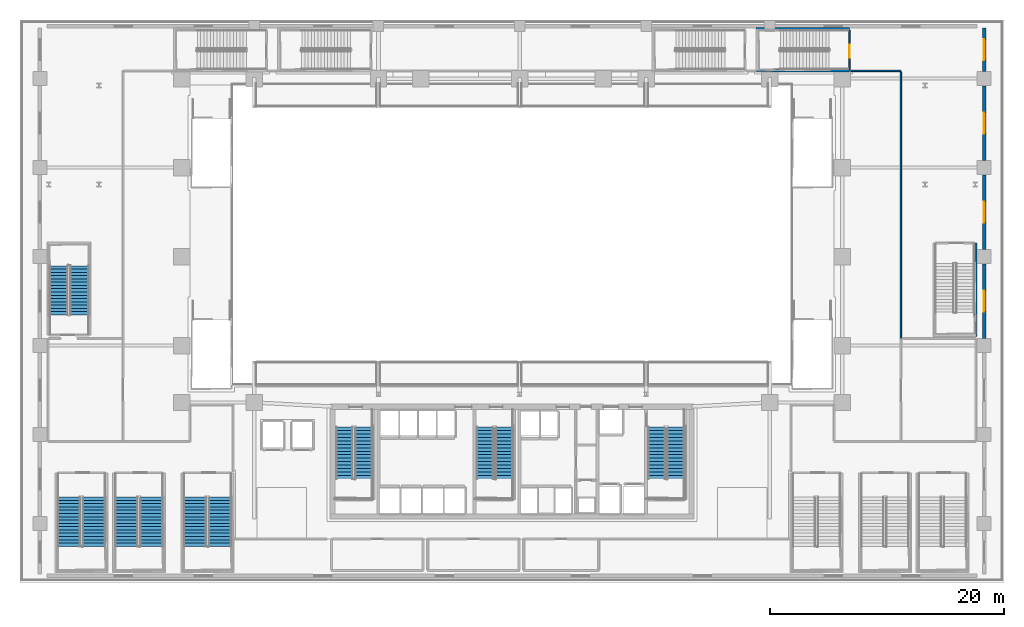
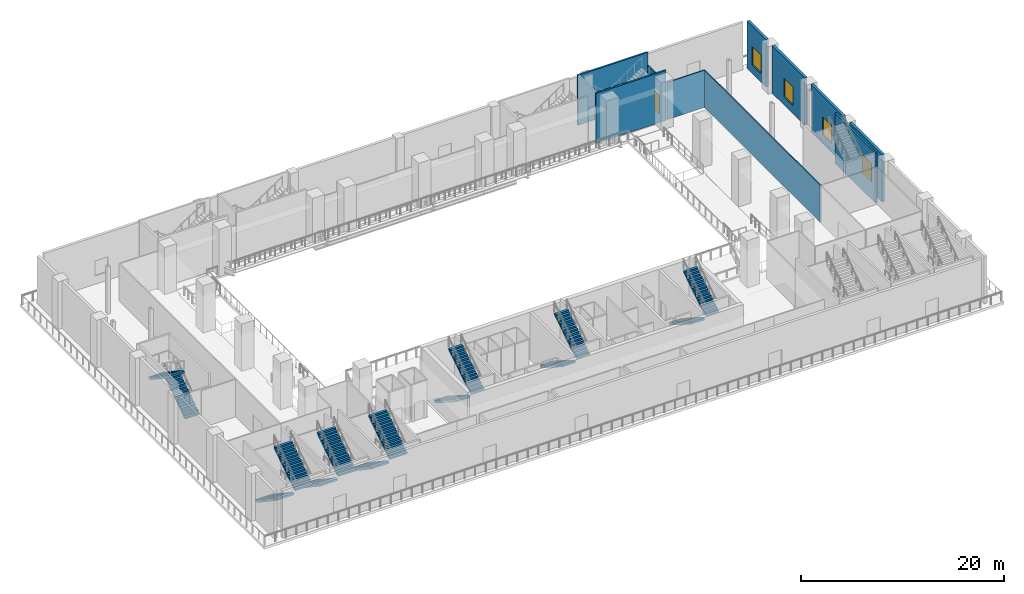
# One storey, part 12 of 28: 14 stair flights, 10 walls, 4 windows, 1 door, 5 openings, 7 elements without a shape of their own.
"""IFC4 building model written with IfcOpenShell, lengths in metres."""

from ifc_helpers import new_model, si_unit, direction, frame, frame_2d, origin, place, context, subcontext, project, spatial, polyline, rectangle, outline, extrude, material, layer, layer_set, type_object, element, fill, aggregate, save


model = new_model("IFC4")

# Units and contexts
model_context = context("Model", 3, precision=1e-05, world=origin(), true_north=direction((0.0, 1.0)))
body_context = subcontext(model_context, "Body", "Model", "MODEL_VIEW")
ifc_project = project(units=[si_unit("LENGTHUNIT", "METRE"), si_unit("AREAUNIT", "SQUARE_METRE"), si_unit("VOLUMEUNIT", "CUBIC_METRE"), si_unit("PLANEANGLEUNIT", "RADIAN"), si_unit("MASSUNIT", "GRAM", prefix="KILO")], contexts=[model_context])

# Site, building, storey
site_placement = place(None, origin())
site = spatial("IfcSite", under=ifc_project, at=site_placement, CompositionType="ELEMENT")
building_placement = place(site_placement, origin())
building = spatial("IfcBuilding", under=site, at=building_placement, Name="Ndaravel Arena Tower", CompositionType="ELEMENT")
storey_placement = place(building_placement, frame((0.0, 0.0, 18.0)))
storey = spatial("IfcBuildingStorey", under=building, at=storey_placement, Name="L03", CompositionType="ELEMENT", Elevation=18.0)

# Walls
ifc_material_1 = material(Name="Gypsum", Category="gypsum")
ifc_layer_1 = layer(ifc_material_1, 0.125)
ifc_layer_set_1 = layer_set([ifc_layer_1], Name="Gypsum")
wall_type_1 = type_object("IfcWallType", Name="WALL-PART-125", PredefinedType="PARTITIONING", material=ifc_layer_set_1)
wall_1_placement = place(storey_placement, frame((70.919921875, 43.64990234375, 0.0), z_axis=(0.0, 0.0, 1.0), x_axis=(1.0, 0.0, 0.0)))
element("IfcWall", 1, at=wall_1_placement, inside=storey, type_object=wall_type_1, Name="L03 Interior Partition 018", PredefinedType="PARTITIONING", context=body_context, shape_type="SweptSolid", body=[
    extrude(rectangle(XDim=4.280029296875, YDim=0.125, at=frame_2d((2.14013671875, 0.0))), origin(), (0.0, 0.0, 1.0), 4.469970703125),
])
wall_2_placement = place(storey_placement, frame((75.199951171875, 43.5849609375, 0.0), z_axis=(0.0, 0.0, 1.0), x_axis=(0.0, -1.0, 0.0)))
element("IfcWall", 2, at=wall_2_placement, inside=storey, type_object=wall_type_1, Name="L03 Interior Partition 019", PredefinedType="PARTITIONING", context=body_context, shape_type="SweptSolid", body=[
    extrude(rectangle(XDim=22.784912109375, YDim=0.125, at=frame_2d((11.392578125, 0.0))), origin(), (0.0, 0.0, 1.0), 4.469970703125),
])

# Wall, opening, window
ifc_material_2 = material(Name="Masonry", Category="masonry")
ifc_layer_2 = layer(ifc_material_2, 0.300048828125)
ifc_layer_set_2 = layer_set([ifc_layer_2], Name="Masonry")
wall_type_2 = type_object("IfcWallType", Name="WALL-POD-MAZERAS-300", PredefinedType="SOLIDWALL", material=ifc_layer_set_2)
wall_3_placement = place(storey_placement, frame((82.300048828125, 27.179931640625, 0.0), z_axis=(0.0, 0.0, 1.0), x_axis=(0.0, -1.0, 0.0)))
wall_3 = element("IfcWall", 3, at=wall_3_placement, inside=storey, type_object=wall_type_2, Name="L03 East Mazeras Bay 4", PredefinedType="SOLIDWALL", context=body_context, shape_type="SweptSolid", body=[
    extrude(rectangle(XDim=6.35986328125, YDim=0.300048828125, at=frame_2d((3.179931640625, 0.0))), origin(), (0.0, 0.0, 1.0), 5.699951171875),
])
opening_1_placement = place(wall_3_placement, frame((2.280029296875, 0.0, 1.0)))
opening_1 = element("IfcOpeningElement", 4, at=opening_1_placement, cuts=wall_3, Name="Opening W-PD2", PredefinedType="OPENING", context=body_context, shape_type="SweptSolid", body=[
    extrude(rectangle(XDim=1.800048828125, YDim=2.199951171875, at=frame_2d((0.89990234375, 1.10009765625))), frame((0.0, 0.14990234375, 0.0), z_axis=(0.0, -1.0, 0.0), x_axis=(1.0, 0.0, 0.0)), (0.0, 0.0, 1.0), 0.300048828125),
])
ifc_material_3 = material(Name="Glazing", Category="glass")
window_type = type_object("IfcWindowType", Name="WIN-POD-1800", PartitioningType="SINGLE_PANEL", PredefinedType="WINDOW", material=ifc_material_3)
window_1_placement = place(opening_1_placement, origin())
window_1 = element("IfcWindow", 5, at=window_1_placement, inside=storey, type_object=window_type, Name="L03 East Mazeras Window 4", OverallHeight=2.199951171875, OverallWidth=1.800048828125, PartitioningType="SINGLE_PANEL", PredefinedType="WINDOW", context=body_context, shape_type="SweptSolid", body=[
    extrude(rectangle(XDim=1.800048828125, YDim=2.199951171875, at=frame_2d((0.89990234375, 1.10009765625))), frame((0.0, 0.030029296875, 0.0), z_axis=(0.0, -1.0, 0.0), x_axis=(1.0, 0.0, 0.0)), (0.0, 0.0, 1.0), 0.06005859375),
])
fill(opening_1, window_1)

wall_4_placement = place(storey_placement, frame((82.300048828125, 34.780029296875, 0.0), z_axis=(0.0, 0.0, 1.0), x_axis=(0.0, -1.0, 0.0)))
wall_4 = element("IfcWall", 6, at=wall_4_placement, inside=storey, type_object=wall_type_2, Name="L03 East Mazeras Bay 5", PredefinedType="SOLIDWALL", context=body_context, shape_type="SweptSolid", body=[
    extrude(rectangle(XDim=6.360107421875, YDim=0.300048828125, at=frame_2d((3.18017578125, 0.0))), origin(), (0.0, 0.0, 1.0), 5.699951171875),
])
opening_2_placement = place(wall_4_placement, frame((2.280029296875, 0.0, 1.0)))
opening_2 = element("IfcOpeningElement", 7, at=opening_2_placement, cuts=wall_4, Name="Opening W-PD2", PredefinedType="OPENING", context=body_context, shape_type="SweptSolid", body=[
    extrude(rectangle(XDim=1.800048828125, YDim=2.199951171875, at=frame_2d((0.89990234375, 1.10009765625))), frame((0.0, 0.14990234375, 0.0), z_axis=(0.0, -1.0, 0.0), x_axis=(1.0, 0.0, 0.0)), (0.0, 0.0, 1.0), 0.300048828125),
])
window_2_placement = place(opening_2_placement, origin())
window_2 = element("IfcWindow", 8, at=window_2_placement, inside=storey, type_object=window_type, Name="L03 East Mazeras Window 5", OverallHeight=2.199951171875, OverallWidth=1.800048828125, PartitioningType="SINGLE_PANEL", PredefinedType="WINDOW", context=body_context, shape_type="SweptSolid", body=[
    extrude(rectangle(XDim=1.800048828125, YDim=2.199951171875, at=frame_2d((0.89990234375, 1.10009765625))), frame((0.0, 0.030029296875, 0.0), z_axis=(0.0, -1.0, 0.0), x_axis=(1.0, 0.0, 0.0)), (0.0, 0.0, 1.0), 0.06005859375),
])
fill(opening_2, window_2)

wall_5_placement = place(storey_placement, frame((82.300048828125, 42.3798828125, 0.0), z_axis=(0.0, 0.0, 1.0), x_axis=(0.0, -1.0, 0.0)))
wall_5 = element("IfcWall", 9, at=wall_5_placement, inside=storey, type_object=wall_type_2, Name="L03 East Mazeras Bay 6", PredefinedType="SOLIDWALL", context=body_context, shape_type="SweptSolid", body=[
    extrude(rectangle(XDim=6.35986328125, YDim=0.300048828125, at=frame_2d((3.179931640625, 0.0))), origin(), (0.0, 0.0, 1.0), 5.699951171875),
])
opening_3_placement = place(wall_5_placement, frame((2.280029296875, 0.0, 1.0)))
opening_3 = element("IfcOpeningElement", 10, at=opening_3_placement, cuts=wall_5, Name="Opening W-PD2", PredefinedType="OPENING", context=body_context, shape_type="SweptSolid", body=[
    extrude(rectangle(XDim=1.800048828125, YDim=2.199951171875, at=frame_2d((0.89990234375, 1.10009765625))), frame((0.0, 0.14990234375, 0.0), z_axis=(0.0, -1.0, 0.0), x_axis=(1.0, 0.0, 0.0)), (0.0, 0.0, 1.0), 0.300048828125),
])
window_3_placement = place(opening_3_placement, origin())
window_3 = element("IfcWindow", 11, at=window_3_placement, inside=storey, type_object=window_type, Name="L03 East Mazeras Window 6", OverallHeight=2.199951171875, OverallWidth=1.800048828125, PartitioningType="SINGLE_PANEL", PredefinedType="WINDOW", context=body_context, shape_type="SweptSolid", body=[
    extrude(rectangle(XDim=1.800048828125, YDim=2.199951171875, at=frame_2d((0.89990234375, 1.10009765625))), frame((0.0, 0.030029296875, 0.0), z_axis=(0.0, -1.0, 0.0), x_axis=(1.0, 0.0, 0.0)), (0.0, 0.0, 1.0), 0.06005859375),
])
fill(opening_3, window_3)

wall_6_placement = place(storey_placement, frame((82.300048828125, 47.300048828125, 0.0), z_axis=(0.0, 0.0, 1.0), x_axis=(0.0, -1.0, 0.0)))
wall_6 = element("IfcWall", 12, at=wall_6_placement, inside=storey, type_object=wall_type_2, Name="L03 East Mazeras Bay 7", PredefinedType="SOLIDWALL", context=body_context, shape_type="SweptSolid", body=[
    extrude(rectangle(XDim=3.699951171875, YDim=0.300048828125, at=frame_2d((1.85009765625, 0.0))), origin(), (0.0, 0.0, 1.0), 5.699951171875),
])
opening_4_placement = place(wall_6_placement, frame((0.949951171875, 0.0, 1.0)))
opening_4 = element("IfcOpeningElement", 13, at=opening_4_placement, cuts=wall_6, Name="Opening W-PD2", PredefinedType="OPENING", context=body_context, shape_type="SweptSolid", body=[
    extrude(rectangle(XDim=1.800048828125, YDim=2.199951171875, at=frame_2d((0.89990234375, 1.10009765625))), frame((0.0, 0.14990234375, 0.0), z_axis=(0.0, -1.0, 0.0), x_axis=(1.0, 0.0, 0.0)), (0.0, 0.0, 1.0), 0.300048828125),
])
window_4_placement = place(opening_4_placement, origin())
window_4 = element("IfcWindow", 14, at=window_4_placement, inside=storey, type_object=window_type, Name="L03 East Mazeras Window 7", OverallHeight=2.199951171875, OverallWidth=1.800048828125, PartitioningType="SINGLE_PANEL", PredefinedType="WINDOW", context=body_context, shape_type="SweptSolid", body=[
    extrude(rectangle(XDim=1.800048828125, YDim=2.199951171875, at=frame_2d((0.89990234375, 1.10009765625))), frame((0.0, 0.030029296875, 0.0), z_axis=(0.0, -1.0, 0.0), x_axis=(1.0, 0.0, 0.0)), (0.0, 0.0, 1.0), 0.06005859375),
])
fill(opening_4, window_4)

# Wall, opening, door
ifc_material_4 = material(Name="Concrete C40/50", Category="concrete")
ifc_layer_3 = layer(ifc_material_4, 0.1201171875)
ifc_layer_set_3 = layer_set([ifc_layer_3], Name="Concrete C40/50")
wall_type_3 = type_object("IfcWallType", Name="WALL-SHAFT-120", PredefinedType="SOLIDWALL", material=ifc_layer_set_3)
wall_7_placement = place(storey_placement, frame((70.800048828125, 47.135009765625, 0.0), z_axis=(0.0, 0.0, 1.0), x_axis=(0.0, -1.0, 0.0)))
wall_7 = element("IfcWall", 15, at=wall_7_placement, inside=storey, type_object=wall_type_3, Name="L03 ST-A11 Entry Wall", PredefinedType="SOLIDWALL", context=body_context, shape_type="SweptSolid", body=[
    extrude(rectangle(XDim=3.3701171875, YDim=0.1201171875, at=frame_2d((1.68505859375, 0.0))), origin(), (0.0, 0.0, 1.0), 4.469970703125),
])
opening_5_placement = place(wall_7_placement, frame((1.239990234375, 0.0, 0.0)))
opening_5 = element("IfcOpeningElement", 16, at=opening_5_placement, cuts=wall_7, Name="Opening FD-01", PredefinedType="OPENING", context=body_context, shape_type="SweptSolid", body=[
    extrude(rectangle(XDim=1.10009765625, YDim=2.199951171875, at=frame_2d((0.550048828125, 1.10009765625))), frame((0.0, 0.06005859375, 0.0), z_axis=(0.0, -1.0, 0.0), x_axis=(1.0, 0.0, 0.0)), (0.0, 0.0, 1.0), 0.1201171875),
])
ifc_material_5 = material(Name="Steel S355", Category="steel")
door_type = type_object("IfcDoorType", Name="DT-01-STAIR-1100", OperationType="SINGLE_SWING_LEFT", PredefinedType="DOOR", material=ifc_material_5)
door_placement = place(opening_5_placement, origin())
door = element("IfcDoor", 17, at=door_placement, inside=storey, type_object=door_type, Name="L03 ST-A11 Fire Exit Stair Door", OperationType="SINGLE_SWING_RIGHT", OverallHeight=2.199951171875, OverallWidth=1.10009765625, PredefinedType="DOOR", context=body_context, shape_type="SweptSolid", body=[
    extrude(rectangle(XDim=1.10009765625, YDim=2.199951171875, at=frame_2d((0.550048828125, 1.10009765625))), frame((0.0, 0.02490234375, 0.0), z_axis=(0.0, -1.0, 0.0), x_axis=(1.0, 0.0, 0.0)), (0.0, 0.0, 1.0), 0.050048828125),
])
fill(opening_5, door)

# Walls
ifc_material_6 = material(Name="Concrete C40/50", Category="concrete")
ifc_layer_4 = layer(ifc_material_6, 0.199951171875)
ifc_layer_set_4 = layer_set([ifc_layer_4], Name="Concrete C40/50")
wall_type_4 = type_object("IfcWallType", Name="WALL-SHAFT-200", PredefinedType="SOLIDWALL", material=ifc_layer_set_4)
for number, where, z_axis, x_axis, name in (
    (18, (70.800048828125, 47.239990234375, 0.0), (0.0, 0.0, 1.0), (-1.0, 0.0, 0.0), "L03 ST-A11 Shaft Wall Left"),
    (19, (70.800048828125, 43.659912109375, 0.0), (0.0, 0.0, 1.0), (-1.0, 0.0, 0.0), "L03 ST-A11 Shaft Wall Right"),
    (20, (81.60009765625, 28.949951171875, 0.0), (0.0, 0.0, 1.0), (0.0, -1.0, 0.0), "L03 ST-A12 Shaft Wall Right"),
):
    element("IfcWall", number, at=place(storey_placement, frame(where, z_axis=z_axis, x_axis=x_axis)), inside=storey, type_object=wall_type_4, Name=name, PredefinedType="SOLIDWALL", context=body_context, shape_type="SweptSolid", body=[
        extrude(rectangle(XDim=7.949951171875, YDim=0.199951171875, at=frame_2d((3.97509765625, 0.0))), origin(), (0.0, 0.0, 1.0), 6.0),
    ])

# Stair, stair flights
ifc_material_7 = material(Name="Concrete C40/50", Category="concrete")
stair_type_1 = type_object("IfcStairType", Name="STAIR-ARENA-HT", PredefinedType="HALF_TURN_STAIR", material=ifc_material_7)
stair_1_placement = place(storey_placement, origin())
stair_1 = element("IfcStair", 21, at=stair_1_placement, inside=storey, type_object=stair_type_1, Name="L03 ST-A01", PredefinedType="HALF_TURN_STAIR")
ifc_material_8 = material(Name="Concrete C40/50", Category="concrete")
stair_flight_type_1 = type_object("IfcStairFlightType", Name="SFLIGHT-ARENA-1980", PredefinedType="STRAIGHT", material=ifc_material_8)
stair_flight_1_placement = place(storey_placement, frame((4.18994140625, 7.27001953125, 0.0), z_axis=(0.0, 0.0, 1.0), x_axis=(0.0, -1.0, 0.0)))
stair_flight_1 = element("IfcStairFlight", 22, at=stair_flight_1_placement, type_object=stair_flight_type_1, Name="ST-A01 flight 1", NumberOfRisers=16, NumberOfTreads=15, PredefinedType="STRAIGHT", RiserHeight=0.1875, TreadLength=0.28, context=body_context, shape_type="SweptSolid", body=[
    extrude(outline(polyline([(0.0, 0.0), (0.0, 0.1875), (0.280029296875, 0.1875), (0.280029296875, 0.375), (0.56005859375, 0.375), (0.56005859375, 0.5625), (0.840087890625, 0.5625), (0.840087890625, 0.75), (1.1201171875, 0.75), (1.1201171875, 0.9375), (1.39990234375, 0.9375), (1.39990234375, 1.125), (1.679931640625, 1.125), (1.679931640625, 1.3125), (1.9599609375, 1.3125), (1.9599609375, 1.5), (2.239990234375, 1.5), (2.239990234375, 1.6875), (2.52001953125, 1.6875), (2.52001953125, 1.875), (2.800048828125, 1.875), (2.800048828125, 2.0625), (3.080078125, 2.0625), (3.080078125, 2.25), (3.360107421875, 2.25), (3.360107421875, 2.4375), (3.639892578125, 2.4375), (3.639892578125, 2.625), (3.919921875, 2.625), (3.919921875, 2.8125), (4.199951171875, 2.8125), (4.199951171875, 3.0), (4.199951171875, 2.57177734375), (0.359375, 0.0), (0.0, 0.0)])), frame((0.0, 0.989990234375, 0.0), z_axis=(0.0, -1.0, 0.0), x_axis=(1.0, 0.0, 0.0)), (0.0, 0.0, 1.0), 1.97998046875),
])
stair_flight_2_placement = place(storey_placement, frame((6.31005859375, 3.070068359375, 3.0), z_axis=(0.0, 0.0, 1.0), x_axis=(0.0, 1.0, 0.0)))
stair_flight_2 = element("IfcStairFlight", 23, at=stair_flight_2_placement, type_object=stair_flight_type_1, Name="ST-A01 flight 2", NumberOfRisers=16, NumberOfTreads=15, PredefinedType="STRAIGHT", RiserHeight=0.1875, TreadLength=0.28, context=body_context, shape_type="SweptSolid", body=[
    extrude(outline(polyline([(0.0, 0.0), (0.0, 0.1875), (0.280029296875, 0.1875), (0.280029296875, 0.375), (0.56005859375, 0.375), (0.56005859375, 0.5625), (0.840087890625, 0.5625), (0.840087890625, 0.75), (1.1201171875, 0.75), (1.1201171875, 0.9375), (1.39990234375, 0.9375), (1.39990234375, 1.125), (1.679931640625, 1.125), (1.679931640625, 1.3125), (1.9599609375, 1.3125), (1.9599609375, 1.5), (2.239990234375, 1.5), (2.239990234375, 1.6875), (2.52001953125, 1.6875), (2.52001953125, 1.875), (2.800048828125, 1.875), (2.800048828125, 2.0625), (3.080078125, 2.0625), (3.080078125, 2.25), (3.360107421875, 2.25), (3.360107421875, 2.4375), (3.639892578125, 2.4375), (3.639892578125, 2.625), (3.919921875, 2.625), (3.919921875, 2.8125), (4.199951171875, 2.8125), (4.199951171875, 3.0), (4.199951171875, 2.57177734375), (0.359375, 0.0), (0.0, 0.0)])), frame((0.0, 0.989990234375, 0.0), z_axis=(0.0, -1.0, 0.0), x_axis=(1.0, 0.0, 0.0)), (0.0, 0.0, 1.0), 1.97998046875),
])
aggregate(stair_1, [stair_flight_1, stair_flight_2])

stair_2_placement = place(storey_placement, origin())
stair_2 = element("IfcStair", 24, at=stair_2_placement, inside=storey, type_object=stair_type_1, Name="L03 ST-A02", PredefinedType="HALF_TURN_STAIR")
stair_flight_3_placement = place(storey_placement, frame((9.090087890625, 7.27001953125, 0.0), z_axis=(0.0, 0.0, 1.0), x_axis=(0.0, -1.0, 0.0)))
stair_flight_3 = element("IfcStairFlight", 25, at=stair_flight_3_placement, type_object=stair_flight_type_1, Name="ST-A02 flight 1", NumberOfRisers=16, NumberOfTreads=15, PredefinedType="STRAIGHT", RiserHeight=0.1875, TreadLength=0.28, context=body_context, shape_type="SweptSolid", body=[
    extrude(outline(polyline([(0.0, 0.0), (0.0, 0.1875), (0.280029296875, 0.1875), (0.280029296875, 0.375), (0.56005859375, 0.375), (0.56005859375, 0.5625), (0.840087890625, 0.5625), (0.840087890625, 0.75), (1.1201171875, 0.75), (1.1201171875, 0.9375), (1.39990234375, 0.9375), (1.39990234375, 1.125), (1.679931640625, 1.125), (1.679931640625, 1.3125), (1.9599609375, 1.3125), (1.9599609375, 1.5), (2.239990234375, 1.5), (2.239990234375, 1.6875), (2.52001953125, 1.6875), (2.52001953125, 1.875), (2.800048828125, 1.875), (2.800048828125, 2.0625), (3.080078125, 2.0625), (3.080078125, 2.25), (3.360107421875, 2.25), (3.360107421875, 2.4375), (3.639892578125, 2.4375), (3.639892578125, 2.625), (3.919921875, 2.625), (3.919921875, 2.8125), (4.199951171875, 2.8125), (4.199951171875, 3.0), (4.199951171875, 2.57177734375), (0.359375, 0.0), (0.0, 0.0)])), frame((0.0, 0.989990234375, 0.0), z_axis=(0.0, -1.0, 0.0), x_axis=(1.0, 0.0, 0.0)), (0.0, 0.0, 1.0), 1.97998046875),
])
stair_flight_4_placement = place(storey_placement, frame((11.2099609375, 3.070068359375, 3.0), z_axis=(0.0, 0.0, 1.0), x_axis=(0.0, 1.0, 0.0)))
stair_flight_4 = element("IfcStairFlight", 26, at=stair_flight_4_placement, type_object=stair_flight_type_1, Name="ST-A02 flight 2", NumberOfRisers=16, NumberOfTreads=15, PredefinedType="STRAIGHT", RiserHeight=0.1875, TreadLength=0.28, context=body_context, shape_type="SweptSolid", body=[
    extrude(outline(polyline([(0.0, 0.0), (0.0, 0.1875), (0.280029296875, 0.1875), (0.280029296875, 0.375), (0.56005859375, 0.375), (0.56005859375, 0.5625), (0.840087890625, 0.5625), (0.840087890625, 0.75), (1.1201171875, 0.75), (1.1201171875, 0.9375), (1.39990234375, 0.9375), (1.39990234375, 1.125), (1.679931640625, 1.125), (1.679931640625, 1.3125), (1.9599609375, 1.3125), (1.9599609375, 1.5), (2.239990234375, 1.5), (2.239990234375, 1.6875), (2.52001953125, 1.6875), (2.52001953125, 1.875), (2.800048828125, 1.875), (2.800048828125, 2.0625), (3.080078125, 2.0625), (3.080078125, 2.25), (3.360107421875, 2.25), (3.360107421875, 2.4375), (3.639892578125, 2.4375), (3.639892578125, 2.625), (3.919921875, 2.625), (3.919921875, 2.8125), (4.199951171875, 2.8125), (4.199951171875, 3.0), (4.199951171875, 2.57177734375), (0.359375, 0.0), (0.0, 0.0)])), frame((0.0, 0.989990234375, 0.0), z_axis=(0.0, -1.0, 0.0), x_axis=(1.0, 0.0, 0.0)), (0.0, 0.0, 1.0), 1.97998046875),
])
aggregate(stair_2, [stair_flight_3, stair_flight_4])

stair_3_placement = place(storey_placement, origin())
stair_3 = element("IfcStair", 27, at=stair_3_placement, inside=storey, type_object=stair_type_1, Name="L03 ST-A03", PredefinedType="HALF_TURN_STAIR")
stair_flight_5_placement = place(storey_placement, frame((14.93994140625, 7.27001953125, 0.0), z_axis=(0.0, 0.0, 1.0), x_axis=(0.0, -1.0, 0.0)))
stair_flight_5 = element("IfcStairFlight", 28, at=stair_flight_5_placement, type_object=stair_flight_type_1, Name="ST-A03 flight 1", NumberOfRisers=16, NumberOfTreads=15, PredefinedType="STRAIGHT", RiserHeight=0.1875, TreadLength=0.28, context=body_context, shape_type="SweptSolid", body=[
    extrude(outline(polyline([(0.0, 0.0), (0.0, 0.1875), (0.280029296875, 0.1875), (0.280029296875, 0.375), (0.56005859375, 0.375), (0.56005859375, 0.5625), (0.840087890625, 0.5625), (0.840087890625, 0.75), (1.1201171875, 0.75), (1.1201171875, 0.9375), (1.39990234375, 0.9375), (1.39990234375, 1.125), (1.679931640625, 1.125), (1.679931640625, 1.3125), (1.9599609375, 1.3125), (1.9599609375, 1.5), (2.239990234375, 1.5), (2.239990234375, 1.6875), (2.52001953125, 1.6875), (2.52001953125, 1.875), (2.800048828125, 1.875), (2.800048828125, 2.0625), (3.080078125, 2.0625), (3.080078125, 2.25), (3.360107421875, 2.25), (3.360107421875, 2.4375), (3.639892578125, 2.4375), (3.639892578125, 2.625), (3.919921875, 2.625), (3.919921875, 2.8125), (4.199951171875, 2.8125), (4.199951171875, 3.0), (4.199951171875, 2.57177734375), (0.359375, 0.0), (0.0, 0.0)])), frame((0.0, 0.989990234375, 0.0), z_axis=(0.0, -1.0, 0.0), x_axis=(1.0, 0.0, 0.0)), (0.0, 0.0, 1.0), 1.97998046875),
])
stair_flight_6_placement = place(storey_placement, frame((17.06005859375, 3.070068359375, 3.0), z_axis=(0.0, 0.0, 1.0), x_axis=(0.0, 1.0, 0.0)))
stair_flight_6 = element("IfcStairFlight", 29, at=stair_flight_6_placement, type_object=stair_flight_type_1, Name="ST-A03 flight 2", NumberOfRisers=16, NumberOfTreads=15, PredefinedType="STRAIGHT", RiserHeight=0.1875, TreadLength=0.28, context=body_context, shape_type="SweptSolid", body=[
    extrude(outline(polyline([(0.0, 0.0), (0.0, 0.1875), (0.280029296875, 0.1875), (0.280029296875, 0.375), (0.56005859375, 0.375), (0.56005859375, 0.5625), (0.840087890625, 0.5625), (0.840087890625, 0.75), (1.1201171875, 0.75), (1.1201171875, 0.9375), (1.39990234375, 0.9375), (1.39990234375, 1.125), (1.679931640625, 1.125), (1.679931640625, 1.3125), (1.9599609375, 1.3125), (1.9599609375, 1.5), (2.239990234375, 1.5), (2.239990234375, 1.6875), (2.52001953125, 1.6875), (2.52001953125, 1.875), (2.800048828125, 1.875), (2.800048828125, 2.0625), (3.080078125, 2.0625), (3.080078125, 2.25), (3.360107421875, 2.25), (3.360107421875, 2.4375), (3.639892578125, 2.4375), (3.639892578125, 2.625), (3.919921875, 2.625), (3.919921875, 2.8125), (4.199951171875, 2.8125), (4.199951171875, 3.0), (4.199951171875, 2.57177734375), (0.359375, 0.0), (0.0, 0.0)])), frame((0.0, 0.989990234375, 0.0), z_axis=(0.0, -1.0, 0.0), x_axis=(1.0, 0.0, 0.0)), (0.0, 0.0, 1.0), 1.97998046875),
])
aggregate(stair_3, [stair_flight_5, stair_flight_6])

ifc_material_9 = material(Name="Concrete C40/50", Category="concrete")
stair_type_2 = type_object("IfcStairType", Name="STAIR-POD-QT", PredefinedType="QUARTER_TURN_STAIR", material=ifc_material_9)
stair_4_placement = place(storey_placement, origin())
stair_4 = element("IfcStair", 30, at=stair_4_placement, inside=storey, type_object=stair_type_2, Name="L03 ST-A07", PredefinedType="QUARTER_TURN_STAIR")
stair_flight_7_placement = place(storey_placement, frame((5.070068359375, 22.820068359375, 0.0), z_axis=(0.0, 0.0, 1.0), x_axis=(0.0, 1.0, 0.0)))
stair_flight_7 = element("IfcStairFlight", 31, at=stair_flight_7_placement, type_object=stair_flight_type_1, Name="ST-A07 flight 1", NumberOfRisers=16, NumberOfTreads=15, PredefinedType="STRAIGHT", RiserHeight=0.1875, TreadLength=0.28, context=body_context, shape_type="SweptSolid", body=[
    extrude(outline(polyline([(0.0, 0.0), (0.0, 0.1875), (0.280029296875, 0.1875), (0.280029296875, 0.375), (0.56005859375, 0.375), (0.56005859375, 0.5625), (0.840087890625, 0.5625), (0.840087890625, 0.75), (1.1201171875, 0.75), (1.1201171875, 0.9375), (1.39990234375, 0.9375), (1.39990234375, 1.125), (1.679931640625, 1.125), (1.679931640625, 1.3125), (1.9599609375, 1.3125), (1.9599609375, 1.5), (2.239990234375, 1.5), (2.239990234375, 1.6875), (2.52001953125, 1.6875), (2.52001953125, 1.875), (2.800048828125, 1.875), (2.800048828125, 2.0625), (3.080078125, 2.0625), (3.080078125, 2.25), (3.360107421875, 2.25), (3.360107421875, 2.4375), (3.639892578125, 2.4375), (3.639892578125, 2.625), (3.919921875, 2.625), (3.919921875, 2.8125), (4.199951171875, 2.8125), (4.199951171875, 3.0), (4.199951171875, 2.57177734375), (0.359375, 0.0), (0.0, 0.0)])), frame((0.0, 0.81005859375, 0.0), z_axis=(0.0, -1.0, 0.0), x_axis=(1.0, 0.0, 0.0)), (0.0, 0.0, 1.0), 1.6201171875),
])
stair_flight_8_placement = place(storey_placement, frame((3.31005859375, 27.02001953125, 3.0), z_axis=(0.0, 0.0, 1.0), x_axis=(0.0, -1.0, 0.0)))
stair_flight_8 = element("IfcStairFlight", 32, at=stair_flight_8_placement, type_object=stair_flight_type_1, Name="ST-A07 flight 2", NumberOfRisers=16, NumberOfTreads=15, PredefinedType="STRAIGHT", RiserHeight=0.1875, TreadLength=0.28, context=body_context, shape_type="SweptSolid", body=[
    extrude(outline(polyline([(0.0, 0.0), (0.0, 0.1875), (0.280029296875, 0.1875), (0.280029296875, 0.375), (0.56005859375, 0.375), (0.56005859375, 0.5625), (0.840087890625, 0.5625), (0.840087890625, 0.75), (1.1201171875, 0.75), (1.1201171875, 0.9375), (1.39990234375, 0.9375), (1.39990234375, 1.125), (1.679931640625, 1.125), (1.679931640625, 1.3125), (1.9599609375, 1.3125), (1.9599609375, 1.5), (2.239990234375, 1.5), (2.239990234375, 1.6875), (2.52001953125, 1.6875), (2.52001953125, 1.875), (2.800048828125, 1.875), (2.800048828125, 2.0625), (3.080078125, 2.0625), (3.080078125, 2.25), (3.360107421875, 2.25), (3.360107421875, 2.4375), (3.639892578125, 2.4375), (3.639892578125, 2.625), (3.919921875, 2.625), (3.919921875, 2.8125), (4.199951171875, 2.8125), (4.199951171875, 3.0), (4.199951171875, 2.57177734375), (0.359375, 0.0), (0.0, 0.0)])), frame((0.0, 0.81005859375, 0.0), z_axis=(0.0, -1.0, 0.0), x_axis=(1.0, 0.0, 0.0)), (0.0, 0.0, 1.0), 1.6201171875),
])
aggregate(stair_4, [stair_flight_7, stair_flight_8])

ifc_material_10 = material(Name="Concrete C40/50", Category="concrete")
stair_type_3 = type_object("IfcStairType", Name="STAIR-CORE-HT", PredefinedType="HALF_TURN_STAIR", material=ifc_material_10)
stair_5_placement = place(storey_placement, origin())
stair_5 = element("IfcStair", 33, at=stair_5_placement, inside=storey, type_object=stair_type_3, Name="L03 ST-1", PredefinedType="HALF_TURN_STAIR")
ifc_material_11 = material(Name="Concrete C40/50", Category="concrete")
stair_flight_type_2 = type_object("IfcStairFlightType", Name="SFLIGHT-CORE-1680", PredefinedType="STRAIGHT", material=ifc_material_11)
stair_flight_9_placement = place(storey_placement, frame((27.699951171875, 13.25, 0.0), z_axis=(0.0, 0.0, 1.0), x_axis=(0.0, -1.0, 0.0)))
stair_flight_9 = element("IfcStairFlight", 34, at=stair_flight_9_placement, type_object=stair_flight_type_2, Name="ST-1 flight 1", NumberOfRisers=16, NumberOfTreads=15, PredefinedType="STRAIGHT", RiserHeight=0.1875, TreadLength=0.295, context=body_context, shape_type="SweptSolid", body=[
    extrude(outline(polyline([(0.0, 0.0), (0.0, 0.1875), (0.294921875, 0.1875), (0.294921875, 0.375), (0.590087890625, 0.375), (0.590087890625, 0.5625), (0.885009765625, 0.5625), (0.885009765625, 0.75), (1.179931640625, 0.75), (1.179931640625, 0.9375), (1.47509765625, 0.9375), (1.47509765625, 1.125), (1.77001953125, 1.125), (1.77001953125, 1.3125), (2.06494140625, 1.3125), (2.06494140625, 1.5), (2.360107421875, 1.5), (2.360107421875, 1.6875), (2.655029296875, 1.6875), (2.655029296875, 1.875), (2.949951171875, 1.875), (2.949951171875, 2.0625), (3.2451171875, 2.0625), (3.2451171875, 2.25), (3.5400390625, 2.25), (3.5400390625, 2.4375), (3.8349609375, 2.4375), (3.8349609375, 2.625), (4.1298828125, 2.625), (4.1298828125, 2.8125), (4.425048828125, 2.8125), (4.425048828125, 3.0), (4.425048828125, 2.599365234375), (0.33544921875, 0.0), (0.0, 0.0)])), frame((0.0, 0.75, 0.0), z_axis=(0.0, -1.0, 0.0), x_axis=(1.0, 0.0, 0.0)), (0.0, 0.0, 1.0), 1.5),
])
stair_flight_10_placement = place(storey_placement, frame((29.340087890625, 8.824951171875, 3.0), z_axis=(0.0, 0.0, 1.0), x_axis=(0.0, 1.0, 0.0)))
stair_flight_10 = element("IfcStairFlight", 35, at=stair_flight_10_placement, type_object=stair_flight_type_2, Name="ST-1 flight 2", NumberOfRisers=16, NumberOfTreads=15, PredefinedType="STRAIGHT", RiserHeight=0.1875, TreadLength=0.295, context=body_context, shape_type="SweptSolid", body=[
    extrude(outline(polyline([(0.0, 0.0), (0.0, 0.1875), (0.294921875, 0.1875), (0.294921875, 0.375), (0.590087890625, 0.375), (0.590087890625, 0.5625), (0.885009765625, 0.5625), (0.885009765625, 0.75), (1.179931640625, 0.75), (1.179931640625, 0.9375), (1.47509765625, 0.9375), (1.47509765625, 1.125), (1.77001953125, 1.125), (1.77001953125, 1.3125), (2.06494140625, 1.3125), (2.06494140625, 1.5), (2.360107421875, 1.5), (2.360107421875, 1.6875), (2.655029296875, 1.6875), (2.655029296875, 1.875), (2.949951171875, 1.875), (2.949951171875, 2.0625), (3.2451171875, 2.0625), (3.2451171875, 2.25), (3.5400390625, 2.25), (3.5400390625, 2.4375), (3.8349609375, 2.4375), (3.8349609375, 2.625), (4.1298828125, 2.625), (4.1298828125, 2.8125), (4.425048828125, 2.8125), (4.425048828125, 3.0), (4.425048828125, 2.599365234375), (0.33544921875, 0.0), (0.0, 0.0)])), frame((0.0, 0.75, 0.0), z_axis=(0.0, -1.0, 0.0), x_axis=(1.0, 0.0, 0.0)), (0.0, 0.0, 1.0), 1.5),
])
aggregate(stair_5, [stair_flight_9, stair_flight_10])

stair_6_placement = place(storey_placement, origin())
stair_6 = element("IfcStair", 36, at=stair_6_placement, inside=storey, type_object=stair_type_3, Name="L03 ST-2", PredefinedType="HALF_TURN_STAIR")
stair_flight_11_placement = place(storey_placement, frame((39.699951171875, 13.25, 0.0), z_axis=(0.0, 0.0, 1.0), x_axis=(0.0, -1.0, 0.0)))
stair_flight_11 = element("IfcStairFlight", 37, at=stair_flight_11_placement, type_object=stair_flight_type_2, Name="ST-2 flight 1", NumberOfRisers=16, NumberOfTreads=15, PredefinedType="STRAIGHT", RiserHeight=0.1875, TreadLength=0.295, context=body_context, shape_type="SweptSolid", body=[
    extrude(outline(polyline([(0.0, 0.0), (0.0, 0.1875), (0.294921875, 0.1875), (0.294921875, 0.375), (0.590087890625, 0.375), (0.590087890625, 0.5625), (0.885009765625, 0.5625), (0.885009765625, 0.75), (1.179931640625, 0.75), (1.179931640625, 0.9375), (1.47509765625, 0.9375), (1.47509765625, 1.125), (1.77001953125, 1.125), (1.77001953125, 1.3125), (2.06494140625, 1.3125), (2.06494140625, 1.5), (2.360107421875, 1.5), (2.360107421875, 1.6875), (2.655029296875, 1.6875), (2.655029296875, 1.875), (2.949951171875, 1.875), (2.949951171875, 2.0625), (3.2451171875, 2.0625), (3.2451171875, 2.25), (3.5400390625, 2.25), (3.5400390625, 2.4375), (3.8349609375, 2.4375), (3.8349609375, 2.625), (4.1298828125, 2.625), (4.1298828125, 2.8125), (4.425048828125, 2.8125), (4.425048828125, 3.0), (4.425048828125, 2.599365234375), (0.33544921875, 0.0), (0.0, 0.0)])), frame((0.0, 0.75, 0.0), z_axis=(0.0, -1.0, 0.0), x_axis=(1.0, 0.0, 0.0)), (0.0, 0.0, 1.0), 1.5),
])
stair_flight_12_placement = place(storey_placement, frame((41.340087890625, 8.824951171875, 3.0), z_axis=(0.0, 0.0, 1.0), x_axis=(0.0, 1.0, 0.0)))
stair_flight_12 = element("IfcStairFlight", 38, at=stair_flight_12_placement, type_object=stair_flight_type_2, Name="ST-2 flight 2", NumberOfRisers=16, NumberOfTreads=15, PredefinedType="STRAIGHT", RiserHeight=0.1875, TreadLength=0.295, context=body_context, shape_type="SweptSolid", body=[
    extrude(outline(polyline([(0.0, 0.0), (0.0, 0.1875), (0.294921875, 0.1875), (0.294921875, 0.375), (0.590087890625, 0.375), (0.590087890625, 0.5625), (0.885009765625, 0.5625), (0.885009765625, 0.75), (1.179931640625, 0.75), (1.179931640625, 0.9375), (1.47509765625, 0.9375), (1.47509765625, 1.125), (1.77001953125, 1.125), (1.77001953125, 1.3125), (2.06494140625, 1.3125), (2.06494140625, 1.5), (2.360107421875, 1.5), (2.360107421875, 1.6875), (2.655029296875, 1.6875), (2.655029296875, 1.875), (2.949951171875, 1.875), (2.949951171875, 2.0625), (3.2451171875, 2.0625), (3.2451171875, 2.25), (3.5400390625, 2.25), (3.5400390625, 2.4375), (3.8349609375, 2.4375), (3.8349609375, 2.625), (4.1298828125, 2.625), (4.1298828125, 2.8125), (4.425048828125, 2.8125), (4.425048828125, 3.0), (4.425048828125, 2.599365234375), (0.33544921875, 0.0), (0.0, 0.0)])), frame((0.0, 0.75, 0.0), z_axis=(0.0, -1.0, 0.0), x_axis=(1.0, 0.0, 0.0)), (0.0, 0.0, 1.0), 1.5),
])
aggregate(stair_6, [stair_flight_11, stair_flight_12])

stair_7_placement = place(storey_placement, origin())
stair_7 = element("IfcStair", 39, at=stair_7_placement, inside=storey, type_object=stair_type_3, Name="L03 ST-3", PredefinedType="HALF_TURN_STAIR")
stair_flight_13_placement = place(storey_placement, frame((54.35009765625, 13.25, 0.0), z_axis=(0.0, 0.0, 1.0), x_axis=(0.0, -1.0, 0.0)))
stair_flight_13 = element("IfcStairFlight", 40, at=stair_flight_13_placement, type_object=stair_flight_type_2, Name="ST-3 flight 1", NumberOfRisers=16, NumberOfTreads=15, PredefinedType="STRAIGHT", RiserHeight=0.1875, TreadLength=0.295, context=body_context, shape_type="SweptSolid", body=[
    extrude(outline(polyline([(0.0, 0.0), (0.0, 0.1875), (0.294921875, 0.1875), (0.294921875, 0.375), (0.590087890625, 0.375), (0.590087890625, 0.5625), (0.885009765625, 0.5625), (0.885009765625, 0.75), (1.179931640625, 0.75), (1.179931640625, 0.9375), (1.47509765625, 0.9375), (1.47509765625, 1.125), (1.77001953125, 1.125), (1.77001953125, 1.3125), (2.06494140625, 1.3125), (2.06494140625, 1.5), (2.360107421875, 1.5), (2.360107421875, 1.6875), (2.655029296875, 1.6875), (2.655029296875, 1.875), (2.949951171875, 1.875), (2.949951171875, 2.0625), (3.2451171875, 2.0625), (3.2451171875, 2.25), (3.5400390625, 2.25), (3.5400390625, 2.4375), (3.8349609375, 2.4375), (3.8349609375, 2.625), (4.1298828125, 2.625), (4.1298828125, 2.8125), (4.425048828125, 2.8125), (4.425048828125, 3.0), (4.425048828125, 2.599365234375), (0.33544921875, 0.0), (0.0, 0.0)])), frame((0.0, 0.75, 0.0), z_axis=(0.0, -1.0, 0.0), x_axis=(1.0, 0.0, 0.0)), (0.0, 0.0, 1.0), 1.5),
])
stair_flight_14_placement = place(storey_placement, frame((55.989990234375, 8.824951171875, 3.0), z_axis=(0.0, 0.0, 1.0), x_axis=(0.0, 1.0, 0.0)))
stair_flight_14 = element("IfcStairFlight", 41, at=stair_flight_14_placement, type_object=stair_flight_type_2, Name="ST-3 flight 2", NumberOfRisers=16, NumberOfTreads=15, PredefinedType="STRAIGHT", RiserHeight=0.1875, TreadLength=0.295, context=body_context, shape_type="SweptSolid", body=[
    extrude(outline(polyline([(0.0, 0.0), (0.0, 0.1875), (0.294921875, 0.1875), (0.294921875, 0.375), (0.590087890625, 0.375), (0.590087890625, 0.5625), (0.885009765625, 0.5625), (0.885009765625, 0.75), (1.179931640625, 0.75), (1.179931640625, 0.9375), (1.47509765625, 0.9375), (1.47509765625, 1.125), (1.77001953125, 1.125), (1.77001953125, 1.3125), (2.06494140625, 1.3125), (2.06494140625, 1.5), (2.360107421875, 1.5), (2.360107421875, 1.6875), (2.655029296875, 1.6875), (2.655029296875, 1.875), (2.949951171875, 1.875), (2.949951171875, 2.0625), (3.2451171875, 2.0625), (3.2451171875, 2.25), (3.5400390625, 2.25), (3.5400390625, 2.4375), (3.8349609375, 2.4375), (3.8349609375, 2.625), (4.1298828125, 2.625), (4.1298828125, 2.8125), (4.425048828125, 2.8125), (4.425048828125, 3.0), (4.425048828125, 2.599365234375), (0.33544921875, 0.0), (0.0, 0.0)])), frame((0.0, 0.75, 0.0), z_axis=(0.0, -1.0, 0.0), x_axis=(1.0, 0.0, 0.0)), (0.0, 0.0, 1.0), 1.5),
])
aggregate(stair_7, [stair_flight_13, stair_flight_14])

save(model, "model.ifc")
